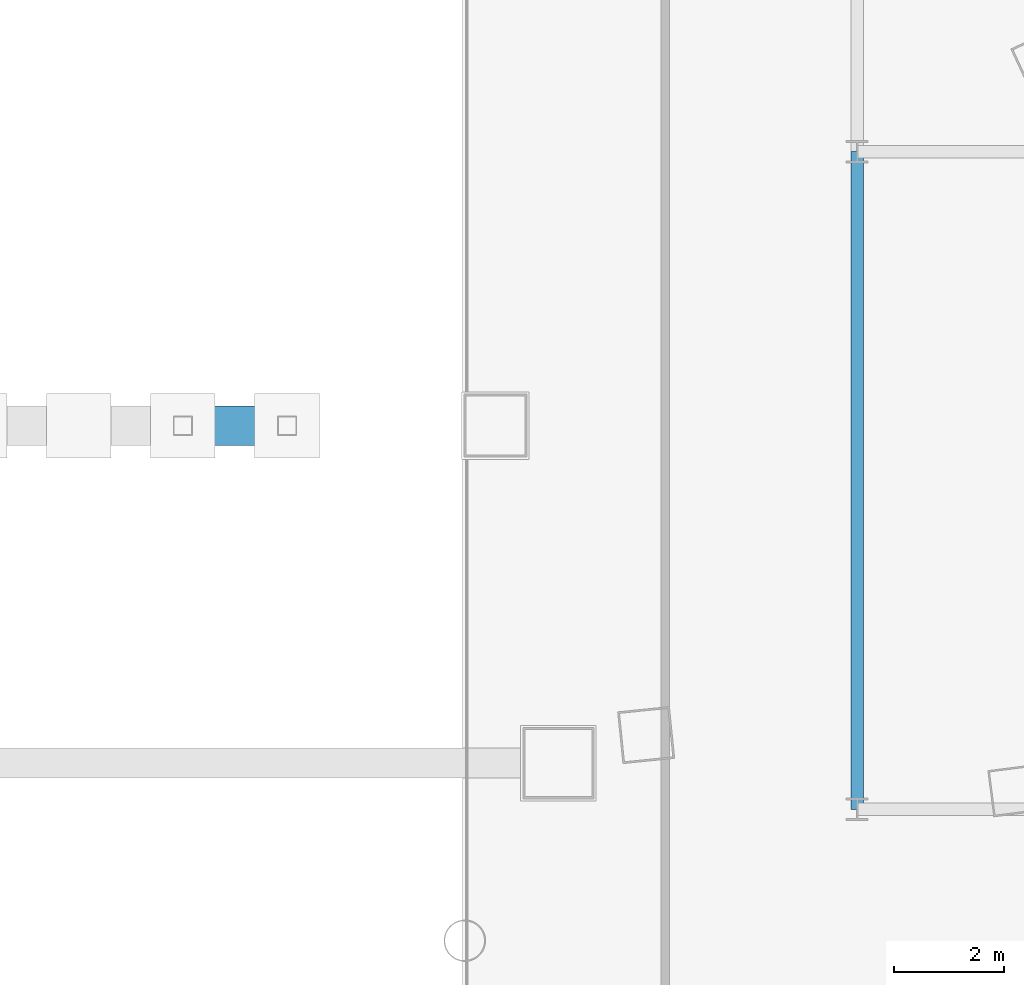
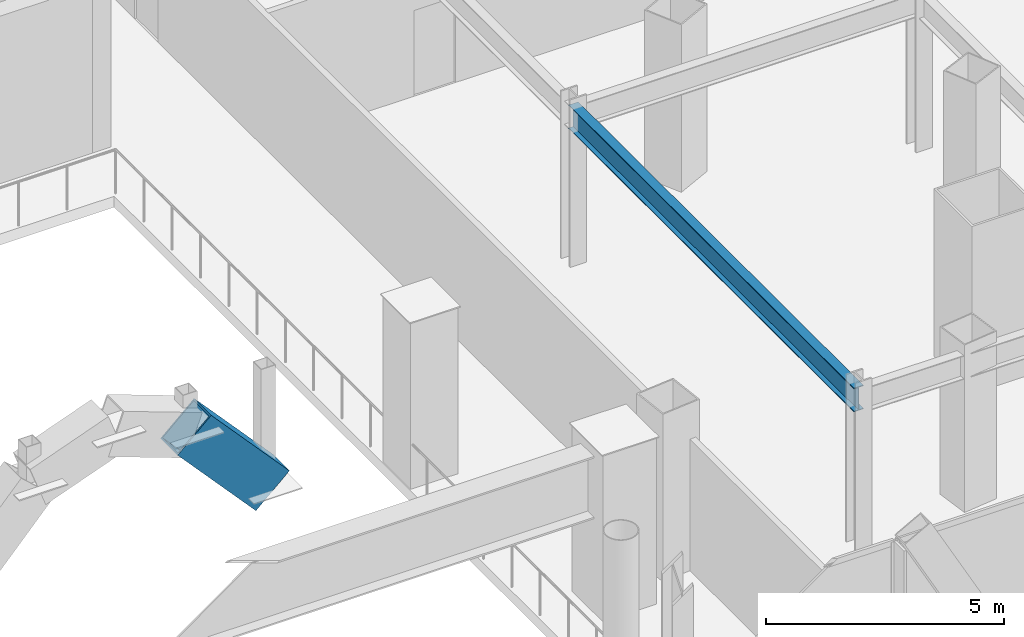
# One storey, part 15 of 42: 1 beam, 1 member.
"""IFC4 building model written with IfcOpenShell, lengths in metres."""

from ifc_helpers import new_model, si_unit, direction, frame, origin, origin_2d, place, context, subcontext, project, spatial, hollow_rectangle, i_section, extrude, material, material_profile, profile_set, type_object, element, save


model = new_model("IFC4")

# Units and contexts
model_context = context("Model", 3, precision=1e-05, world=origin(), true_north=direction((0.0, 1.0)))
body_context = subcontext(model_context, "Body", "Model", "MODEL_VIEW")
ifc_project = project(units=[si_unit("LENGTHUNIT", "METRE"), si_unit("AREAUNIT", "SQUARE_METRE"), si_unit("VOLUMEUNIT", "CUBIC_METRE"), si_unit("PLANEANGLEUNIT", "RADIAN"), si_unit("MASSUNIT", "GRAM", prefix="KILO")], contexts=[model_context])

# Site, building, storey
site_placement = place(None, origin())
site = spatial("IfcSite", under=ifc_project, at=site_placement, CompositionType="ELEMENT")
building_placement = place(site_placement, origin())
building = spatial("IfcBuilding", under=site, at=building_placement, Name="Orvanel Arch Residences", CompositionType="ELEMENT")
storey_placement = place(building_placement, frame((0.0, 0.0, 9.800048828125)))
storey = spatial("IfcBuildingStorey", under=building, at=storey_placement, Name="L02", CompositionType="ELEMENT", Elevation=9.800048828125)

# Member
ifc_material_1 = material(Name="Structural steel AS/NZS 3678 Grade 350", Category="steel")
ifc_material_profile_1 = material_profile(ifc_material_1, hollow_rectangle(XDim=0.719970703125, YDim=1.10009765625, WallThickness=0.035888671875, at=origin_2d()), Name="BOX1100x720x36")
ifc_profile_set_1 = profile_set([ifc_material_profile_1], Name="Structural steel AS/NZS 3678 Grade 350")
member_type = type_object("IfcMemberType", Name="AR-1100BOX", PredefinedType="USERDEFINED", material=ifc_profile_set_1)
member_placement = place(storey_placement, frame((33.89990234375, 13.0, 3.052978515625), z_axis=(0.67268569975, 0.0, -0.739928340687), x_axis=(0.0, 1.0, 0.0)))
element("IfcMember", 1, at=member_placement, inside=storey, type_object=member_type, Name="Monumental Podium Arch Rib MID Segment 6", ObjectType="ARCH_SEGMENT", PredefinedType="USERDEFINED", context=body_context, shape_type="SweptSolid", body=[
    extrude(hollow_rectangle(XDim=0.719970703125, YDim=1.10009765625, WallThickness=0.035888671875, at=origin_2d()), origin(), (0.0, 0.0, 1.0), 2.82470703125),
])

# Beam
ifc_material_2 = material(Name="Structural steel AS/NZS 3679.1 Grade 300 (300 MPa)", Category="steel")
ifc_material_profile_2 = material_profile(ifc_material_2, i_section(OverallWidth=0.22900390625, OverallDepth=0.612060546875, WebThickness=0.011962890625, FlangeThickness=0.01953125, at=origin_2d()), Name="610UB125")
ifc_profile_set_2 = profile_set([ifc_material_profile_2], Name="Structural steel AS/NZS 3679.1 Grade 300 (300 MPa)")
beam_type = type_object("IfcBeamType", Name="BG-610UB", PredefinedType="BEAM", material=ifc_profile_set_2)
beam_placement = place(storey_placement, frame((46.199951171875, 6.0, 3.7138671875), z_axis=(0.0, 1.0, 0.0), x_axis=(-1.0, 0.0, 0.0)))
element("IfcBeam", 2, at=beam_placement, inside=storey, type_object=beam_type, Name="L02 North-South Podium Girder XE46-S", PredefinedType="BEAM", context=body_context, shape_type="SweptSolid", body=[
    extrude(i_section(OverallWidth=0.22900390625, OverallDepth=0.612060546875, WebThickness=0.011962890625, FlangeThickness=0.01953125, at=origin_2d()), origin(), (0.0, 0.0, 1.0), 12.0),
])

save(model, "model.ifc")
